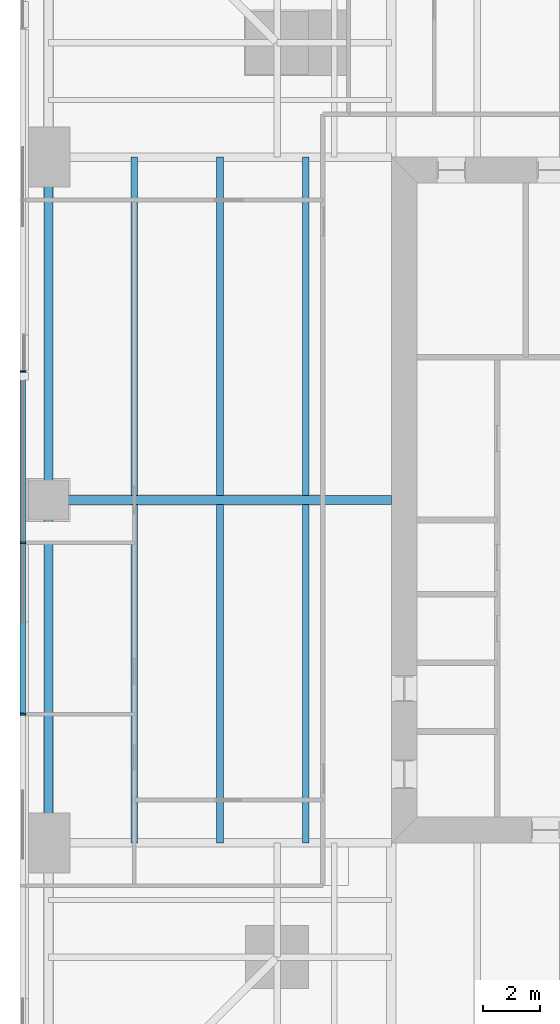
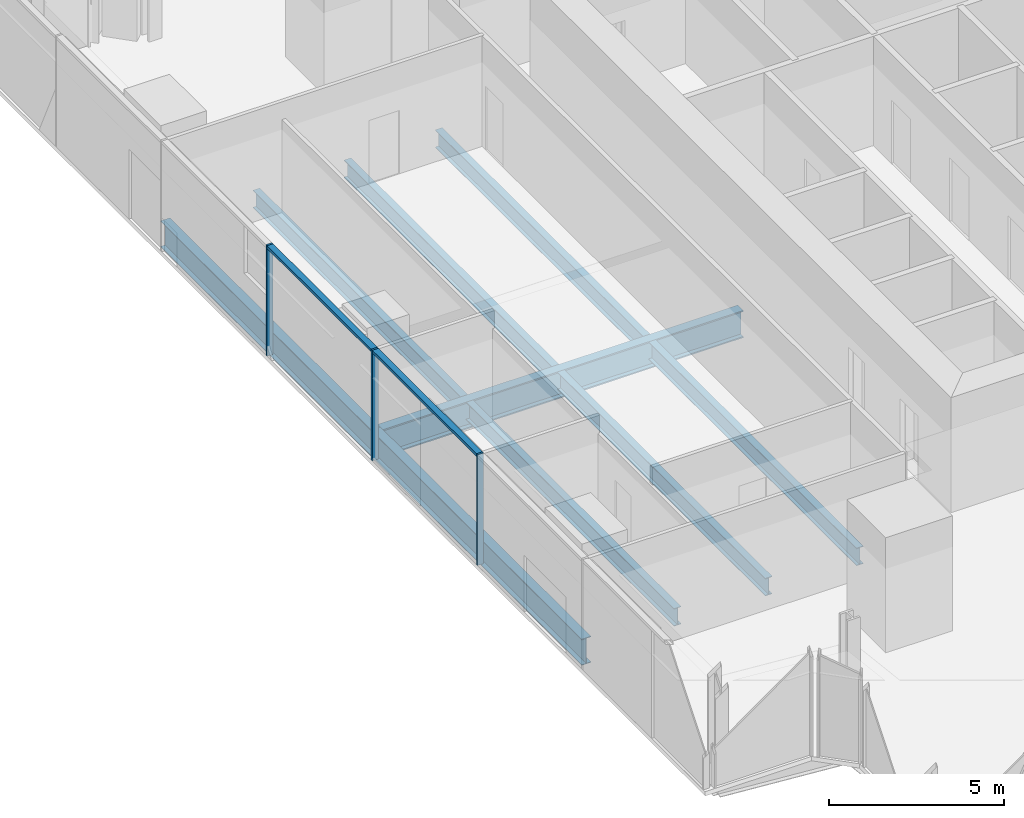
# One storey, part 4 of 14: 9 beams, 5 members, 1 element without a shape of its own.
"""IFC4 building model written with IfcOpenShell, lengths in metres."""

from ifc_helpers import new_model, si_unit, direction, frame, origin, origin_2d, place, context, subcontext, project, spatial, rectangle, i_section, extrude, material, material_profile, profile_set, type_object, element, aggregate, save


model = new_model("IFC4")

# Units and contexts
model_context = context("Model", 3, precision=1e-05, world=origin(), true_north=direction((0.0, 1.0)))
body_context = subcontext(model_context, "Body", "Model", "MODEL_VIEW")
ifc_project = project(units=[si_unit("LENGTHUNIT", "METRE"), si_unit("AREAUNIT", "SQUARE_METRE"), si_unit("VOLUMEUNIT", "CUBIC_METRE"), si_unit("PLANEANGLEUNIT", "RADIAN"), si_unit("MASSUNIT", "GRAM", prefix="KILO")], contexts=[model_context])

# Site, building, storey
site_placement = place(None, origin())
site = spatial("IfcSite", under=ifc_project, at=site_placement, CompositionType="ELEMENT")
building_placement = place(site_placement, origin())
building = spatial("IfcBuilding", under=site, at=building_placement, Name="Fenwick Lantern Interchange", CompositionType="ELEMENT")
storey_placement = place(building_placement, frame((0.0, 0.0, 122.39990234375)))
storey = spatial("IfcBuildingStorey", under=building, at=storey_placement, Name="L28", CompositionType="ELEMENT", Elevation=122.39990234375)

# Beams
ifc_material_1 = material(Name="Steel ASTM A992 Grade 50", Category="steel")
ifc_material_profile_1 = material_profile(ifc_material_1, i_section(OverallWidth=0.3046875, OverallDepth=0.911865234375, WebThickness=0.015869140625, FlangeThickness=0.02392578125, at=origin_2d()), Name="W36X150")
ifc_profile_set_1 = profile_set([ifc_material_profile_1], Name="Steel ASTM A992 Grade 50")
beam_type_1 = type_object("IfcBeamType", Name="EDGE BEAM W36X150", PredefinedType="SPANDREL", material=ifc_profile_set_1)
for number, where, z_axis, x_axis, name in (
    (1, (1.0, 37.0, -0.605712890625), (0.0, -1.0, 0.0), (1.0, 0.0, 0.0), "L28/FR/W/EB2"),
    (2, (1.0, 25.0, -0.605712890625), (0.0, -1.0, 0.0), (1.0, 0.0, 0.0), "L28/FR/W/EB3"),
):
    element("IfcBeam", number, at=place(storey_placement, frame(where, z_axis=z_axis, x_axis=x_axis)), inside=storey, type_object=beam_type_1, Name=name, PredefinedType="SPANDREL", context=body_context, shape_type="SweptSolid", body=[
        extrude(i_section(OverallWidth=0.3046875, OverallDepth=0.911865234375, WebThickness=0.015869140625, FlangeThickness=0.02392578125, at=origin_2d()), origin(), (0.0, 0.0, 1.0), 12.0),
    ])
ifc_material_profile_2 = material_profile(ifc_material_1, i_section(OverallWidth=0.22900390625, OverallDepth=0.612060546875, WebThickness=0.011962890625, FlangeThickness=0.01953125, at=origin_2d()), Name="W24X84")
ifc_profile_set_2 = profile_set([ifc_material_profile_2], Name="Steel ASTM A992 Grade 50")
beam_type_2 = type_object("IfcBeamType", Name="FLOOR BEAM W24X84", PredefinedType="BEAM", material=ifc_profile_set_2)
for number, where, z_axis, x_axis, name in (
    (3, (4.0, 37.0, -0.4560546875), (0.0, -1.0, 0.0), (1.0, 0.0, 0.0), "L28/FR/W/B01"),
    (4, (7.0, 37.0, -0.4560546875), (0.0, -1.0, 0.0), (1.0, 0.0, 0.0), "L28/FR/W/B02"),
    (5, (10.0, 37.0, -0.4560546875), (0.0, -1.0, 0.0), (1.0, 0.0, 0.0), "L28/FR/W/B03"),
    (6, (4.0, 24.844970703125, -0.4560546875), (0.0, -1.0, 0.0), (1.0, 0.0, 0.0), "L28/FR/W/B04"),
    (7, (7.0, 24.844970703125, -0.4560546875), (0.0, -1.0, 0.0), (1.0, 0.0, 0.0), "L28/FR/W/B05"),
    (8, (10.0, 24.844970703125, -0.4560546875), (0.0, -1.0, 0.0), (1.0, 0.0, 0.0), "L28/FR/W/B06"),
):
    element("IfcBeam", number, at=place(storey_placement, frame(where, z_axis=z_axis, x_axis=x_axis)), inside=storey, type_object=beam_type_2, Name=name, PredefinedType="BEAM", context=body_context, shape_type="SweptSolid", body=[
        extrude(i_section(OverallWidth=0.22900390625, OverallDepth=0.612060546875, WebThickness=0.011962890625, FlangeThickness=0.01953125, at=origin_2d()), origin(), (0.0, 0.0, 1.0), 11.844970703125),
    ])
ifc_material_profile_3 = material_profile(ifc_material_1, i_section(OverallWidth=0.309814453125, OverallDepth=0.949951171875, WebThickness=0.0244140625, FlangeThickness=0.0439453125, at=origin_2d()), Name="W36X256")
ifc_profile_set_3 = profile_set([ifc_material_profile_3], Name="Steel ASTM A992 Grade 50")
beam_type_3 = type_object("IfcBeamType", Name="MOMENT-CONNECTED GIRDER W36X256", PredefinedType="BEAM", material=ifc_profile_set_3)
beam_placement = place(storey_placement, frame((1.0, 25.0, -0.625), z_axis=(1.0, 0.0, 0.0), x_axis=(0.0, 1.0, 0.0)))
element("IfcBeam", 9, at=beam_placement, inside=storey, type_object=beam_type_3, Name="L28/FR/W/R02", PredefinedType="BEAM", context=body_context, shape_type="SweptSolid", body=[
    extrude(i_section(OverallWidth=0.309814453125, OverallDepth=0.949951171875, WebThickness=0.0244140625, FlangeThickness=0.0439453125, at=origin_2d()), origin(), (0.0, 0.0, 1.0), 12.0),
])

# Curtain wall, members
ifc_material_2 = material(Name="Aluminium curtain wall frame", Category="aluminium")
curtain_wall_type = type_object("IfcCurtainWallType", Name="OFFICE CURTAIN WALL", PredefinedType="USERDEFINED", material=ifc_material_2)
curtain_wall_placement = place(storey_placement, origin())
curtain_wall = element("IfcCurtainWall", 10, at=curtain_wall_placement, inside=storey, type_object=curtain_wall_type, Name="Office curtain wall 13", ObjectType="OFFICE CURTAIN WALL", PredefinedType="USERDEFINED")
ifc_material_3 = material(Name="Aluminium extrusion", Category="aluminium")
ifc_material_profile_4 = material_profile(ifc_material_3, rectangle(XDim=0.199951171875, YDim=0.06494140625, at=origin_2d()), Name="OFFICE CURTAIN WALL MULLION 65 X 200")
ifc_profile_set_4 = profile_set([ifc_material_profile_4], Name="Aluminium extrusion")
member_type_1 = type_object("IfcMemberType", Name="OFFICE CURTAIN WALL MULLION 65 X 200", PredefinedType="MULLION", material=ifc_profile_set_4)
member_1_placement = place(storey_placement, frame((0.10009765625, 29.5, 0.0), z_axis=(0.0, 0.0, 1.0), x_axis=(1.0, 0.0, 0.0)))
member_1 = element("IfcMember", 11, at=member_1_placement, type_object=member_type_1, Name="L28/CW/13/M03", PredefinedType="MULLION", context=body_context, shape_type="SweptSolid", body=[
    extrude(rectangle(XDim=0.199951171875, YDim=0.06494140625, at=origin_2d()), origin(), (0.0, 0.0, 1.0), 3.85009765625),
])
member_2_placement = place(storey_placement, frame((0.10009765625, 23.5, 0.0), z_axis=(0.0, 0.0, 1.0), x_axis=(1.0, 0.0, 0.0)))
member_2 = element("IfcMember", 12, at=member_2_placement, type_object=member_type_1, Name="L28/CW/13/M04", PredefinedType="MULLION", context=body_context, shape_type="SweptSolid", body=[
    extrude(rectangle(XDim=0.199951171875, YDim=0.06494140625, at=origin_2d()), origin(), (0.0, 0.0, 1.0), 3.85009765625),
])
member_3_placement = place(storey_placement, frame((0.10009765625, 17.5, 0.0), z_axis=(0.0, 0.0, 1.0), x_axis=(1.0, 0.0, 0.0)))
member_3 = element("IfcMember", 13, at=member_3_placement, type_object=member_type_1, Name="L28/CW/13/M05", PredefinedType="MULLION", context=body_context, shape_type="SweptSolid", body=[
    extrude(rectangle(XDim=0.199951171875, YDim=0.06494140625, at=origin_2d()), origin(), (0.0, 0.0, 1.0), 3.85009765625),
])
ifc_material_profile_5 = material_profile(ifc_material_3, rectangle(XDim=0.199951171875, YDim=0.10009765625, at=origin_2d()), Name="OFFICE CURTAIN WALL TRANSOM 100 X 200")
ifc_profile_set_5 = profile_set([ifc_material_profile_5], Name="Aluminium extrusion")
member_type_2 = type_object("IfcMemberType", Name="OFFICE CURTAIN WALL TRANSOM 100 X 200", PredefinedType="MULLION", material=ifc_profile_set_5)
member_4_placement = place(storey_placement, frame((0.10009765625, 29.467529296875, 3.800048828125), z_axis=(0.0, -1.0, 0.0), x_axis=(1.0, 0.0, 0.0)))
member_4 = element("IfcMember", 14, at=member_4_placement, type_object=member_type_2, Name="L28/CW/13/T03", PredefinedType="MULLION", context=body_context, shape_type="SweptSolid", body=[
    extrude(rectangle(XDim=0.199951171875, YDim=0.10009765625, at=origin_2d()), origin(), (0.0, 0.0, 1.0), 5.93505859375),
])
member_5_placement = place(storey_placement, frame((0.10009765625, 23.467529296875, 3.800048828125), z_axis=(0.0, -1.0, 0.0), x_axis=(1.0, 0.0, 0.0)))
member_5 = element("IfcMember", 15, at=member_5_placement, type_object=member_type_2, Name="L28/CW/13/T04", PredefinedType="MULLION", context=body_context, shape_type="SweptSolid", body=[
    extrude(rectangle(XDim=0.199951171875, YDim=0.10009765625, at=origin_2d()), origin(), (0.0, 0.0, 1.0), 5.93505859375),
])
aggregate(curtain_wall, [member_1, member_2, member_3, member_4, member_5])

save(model, "model.ifc")
